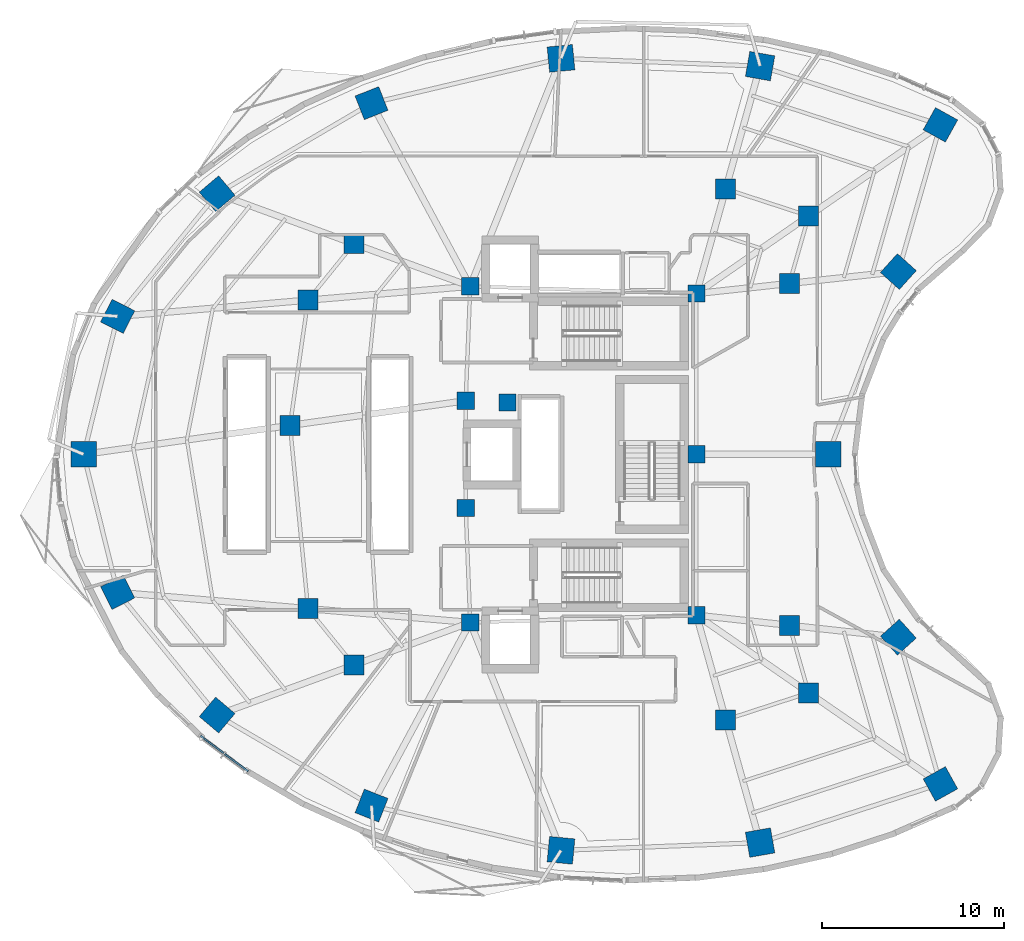
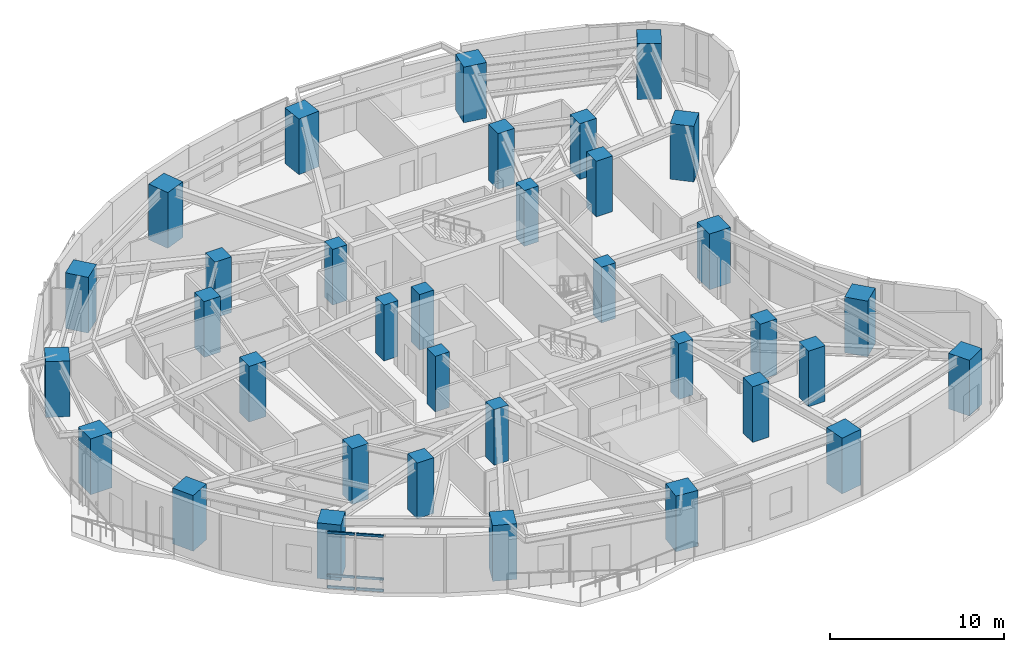
# One storey, part 1 of 15: 35 columns, 6 members, 1 element without a shape of its own.
"""IFC4 building model written with IfcOpenShell, lengths in metres."""

from ifc_helpers import new_model, si_unit, direction, frame, origin, origin_2d, place, context, subcontext, project, spatial, rectangle, extrude, material, layer, layer_set, material_profile, profile_set, type_object, element, aggregate, save


model = new_model("IFC4")

# Units and contexts
model_context = context("Model", 3, precision=1e-05, world=origin(), true_north=direction((0.0, 1.0)))
body_context = subcontext(model_context, "Body", "Model", "MODEL_VIEW")
ifc_project = project(units=[si_unit("LENGTHUNIT", "METRE"), si_unit("AREAUNIT", "SQUARE_METRE"), si_unit("VOLUMEUNIT", "CUBIC_METRE"), si_unit("PLANEANGLEUNIT", "RADIAN"), si_unit("MASSUNIT", "GRAM", prefix="KILO")], contexts=[model_context])

# Site, building, storey
site_placement = place(None, origin())
site = spatial("IfcSite", under=ifc_project, at=site_placement, CompositionType="ELEMENT")
building_placement = place(site_placement, origin())
building = spatial("IfcBuilding", under=site, at=building_placement, Name="Korentha Bioscience Tower", CompositionType="ELEMENT")
storey_placement = place(building_placement, frame((0.0, 0.0, 38.39990234375)))
storey = spatial("IfcBuildingStorey", under=building, at=storey_placement, Name="L08", CompositionType="ELEMENT", Elevation=38.39990234375)

# Columns
ifc_material_1 = material(Name="Concrete C65", Category="concrete")
ifc_material_profile_1 = material_profile(ifc_material_1, rectangle(XDim=0.949951171875, YDim=0.949951171875, at=origin_2d()), Name="Concrete C65")
ifc_profile_set_1 = profile_set([ifc_material_profile_1], Name="Concrete C65 (COL-CP09)")
column_type_1 = type_object("IfcColumnType", Name="Core Pilaster Column RC 950x950", PredefinedType="PILASTER", material=ifc_profile_set_1)
for number, where, z_axis, x_axis, name in (
    (1, (37.550048828125, 35.85009765625, -0.00048828125), (0.0, 0.0, 1.0), (1.0, 0.0, 0.0), "L08 Core Pilaster CP-01"),
    (2, (25.10009765625, 36.25, -0.00048828125), (0.0, 0.0, 1.0), (1.0, 0.0, 0.0), "L08 Core Pilaster CP-02"),
    (3, (24.85009765625, 29.949951171875, -0.00048828125), (0.0, 0.0, 1.0), (1.0, 0.0, 0.0), "L08 Core Pilaster CP-03"),
    (4, (27.14990234375, 29.85009765625, -0.00048828125), (0.0, 0.0, 1.0), (1.0, 0.0, 0.0), "L08 Core Pilaster CP-04"),
    (5, (24.85009765625, 24.050048828125, -0.00048828125), (0.0, 0.0, 1.0), (1.0, 0.0, 0.0), "L08 Core Pilaster CP-05"),
    (6, (25.10009765625, 17.75, -0.00048828125), (0.0, 0.0, 1.0), (1.0, 0.0, 0.0), "L08 Core Pilaster CP-06"),
    (7, (37.550048828125, 18.14990234375, -0.00048828125), (0.0, 0.0, 1.0), (1.0, 0.0, 0.0), "L08 Core Pilaster CP-07"),
    (8, (37.550048828125, 27.0, -0.00048828125), (0.0, 0.0, 1.0), (1.0, 0.0, 0.0), "L08 Core Pilaster CP-08"),
):
    element("IfcColumn", number, at=place(storey_placement, frame(where, z_axis=z_axis, x_axis=x_axis)), inside=storey, type_object=column_type_1, Name=name, PredefinedType="PILASTER", context=body_context, shape_type="SweptSolid", body=[
        extrude(rectangle(XDim=0.949951171875, YDim=0.949951171875, at=origin_2d()), origin(), (0.0, 0.0, 1.0), 3.901123046875),
    ])
ifc_material_2 = material(Name="Concrete C80", Category="concrete")
ifc_material_profile_2 = material_profile(ifc_material_2, rectangle(XDim=1.10009765625, YDim=1.10009765625, at=origin_2d()), Name="Concrete C80")
ifc_profile_set_2 = profile_set([ifc_material_profile_2], Name="Concrete C80 (COL-MR11)")
column_type_2 = type_object("IfcColumnType", Name="Mid-Ring Lab Column RC 1100x1100", PredefinedType="COLUMN", material=ifc_profile_set_2)
for number, where, z_axis, x_axis, name in (
    (9, (43.7265625, 40.121337890625, -0.00048828125), (0.0, 0.0, 1.0), (1.0, 0.0, 0.0), "L08 Mid-Ring Column 01"),
    (10, (39.1611328125, 41.607666015625, -0.00048828125), (0.0, 0.0, 1.0), (1.0, 0.0, 0.0), "L08 Mid-Ring Column 02"),
    (11, (18.692138671875, 38.5947265625, -0.00048828125), (0.0, 0.0, 1.0), (1.0, 0.0, 0.0), "L08 Mid-Ring Column 05"),
    (12, (16.174072265625, 35.489013671875, -0.00048828125), (0.0, 0.0, 1.0), (1.0, 0.0, 0.0), "L08 Mid-Ring Column 06"),
    (13, (15.1787109375, 28.593505859375, -0.00048828125), (0.0, 0.0, 1.0), (1.0, 0.0, 0.0), "L08 Mid-Ring Column 07"),
    (14, (16.174072265625, 18.510986328125, -0.00048828125), (0.0, 0.0, 1.0), (1.0, 0.0, 0.0), "L08 Mid-Ring Column 08"),
    (15, (18.692138671875, 15.4052734375, -0.00048828125), (0.0, 0.0, 1.0), (1.0, 0.0, 0.0), "L08 Mid-Ring Column 09"),
    (16, (39.1611328125, 12.392333984375, -0.00048828125), (0.0, 0.0, 1.0), (1.0, 0.0, 0.0), "L08 Mid-Ring Column 12"),
    (17, (43.7265625, 13.878662109375, -0.00048828125), (0.0, 0.0, 1.0), (1.0, 0.0, 0.0), "L08 Mid-Ring Column 13"),
    (18, (42.66162109375, 17.593017578125, -0.00048828125), (0.0, 0.0, 1.0), (1.0, 0.0, 0.0), "L08 Mid-Ring Column 14"),
    (19, (42.66162109375, 36.406982421875, -0.00048828125), (0.0, 0.0, 1.0), (1.0, 0.0, 0.0), "L08 Mid-Ring Column 16"),
):
    element("IfcColumn", number, at=place(storey_placement, frame(where, z_axis=z_axis, x_axis=x_axis)), inside=storey, type_object=column_type_2, Name=name, PredefinedType="COLUMN", context=body_context, shape_type="SweptSolid", body=[
        extrude(rectangle(XDim=1.10009765625, YDim=1.10009765625, at=origin_2d()), origin(), (0.0, 0.0, 1.0), 3.901123046875),
    ])
ifc_material_profile_3 = material_profile(ifc_material_2, rectangle(XDim=1.39990234375, YDim=1.39990234375, at=origin_2d()), Name="Concrete C80")
ifc_profile_set_3 = profile_set([ifc_material_profile_3], Name="Concrete C80 (COL-P14)")
column_type_3 = type_object("IfcColumnType", Name="Perimeter Column RC 1400x1400", PredefinedType="COLUMN", material=ifc_profile_set_3)
for number, where, z_axis, x_axis, name in (
    (20, (50.977294921875, 45.135498046875, -0.00048828125), (0.0, 0.0, 1.0), (-0.874535078577, 0.484962262797, 0.0), "L08 Perimeter Column 01"),
    (21, (41.052490234375, 48.36669921875, -0.00048828125), (0.0, 0.0, 1.0), (-0.984868307662, 0.173304404339, 0.0), "L08 Perimeter Column 02"),
    (22, (30.09423828125, 48.79248046875, -0.00048828125), (0.0, 0.0, 1.0), (0.995462868748, 0.095150811579, 0.0), "L08 Perimeter Column 03"),
    (23, (19.66650390625, 46.328857421875, -0.00048828125), (0.0, 0.0, 1.0), (0.930225540858, 0.366988341962, 0.0), "L08 Perimeter Column 04"),
    (24, (11.169921875, 41.34716796875, -0.00048828125), (0.0, 0.0, 1.0), (0.764246456939, 0.644924300253, 0.0), "L08 Perimeter Column 05"),
    (25, (5.69580078125, 34.595703125, -0.00048828125), (0.0, 0.0, 1.0), (0.453057191132, 0.891481453292, 0.0), "L08 Perimeter Column 06"),
    (26, (3.825439453125, 27.000732421875, -0.00048828125), (0.0, 0.0, 1.0), (0.0, 1.0, 0.0), "L08 Perimeter Column 07"),
    (27, (5.69580078125, 19.404296875, -0.00048828125), (0.0, 0.0, 1.0), (-0.453057191132, 0.891481453292, 0.0), "L08 Perimeter Column 08"),
    (28, (11.169921875, 12.65283203125, -0.00048828125), (0.0, 0.0, 1.0), (-0.764246456939, 0.644924300253, 0.0), "L08 Perimeter Column 09"),
    (29, (19.66650390625, 7.671142578125, -0.00048828125), (0.0, 0.0, 1.0), (-0.930225540858, 0.366988341962, 0.0), "L08 Perimeter Column 10"),
    (30, (30.09423828125, 5.20751953125, -0.00048828125), (0.0, 0.0, 1.0), (-0.995462868748, 0.095150811579, 0.0), "L08 Perimeter Column 11"),
    (31, (41.052490234375, 5.63330078125, -0.00048828125), (0.0, 0.0, 1.0), (0.984868307662, 0.173304404339, 0.0), "L08 Perimeter Column 12"),
    (32, (50.977294921875, 8.864501953125, -0.00048828125), (0.0, 0.0, 1.0), (0.874535078577, 0.484962262797, 0.0), "L08 Perimeter Column 13"),
    (33, (48.661865234375, 16.939208984375, -0.00048828125), (0.0, 0.0, 1.0), (-0.669130606359, 0.743144825477, 0.0), "L08 Perimeter Column 14"),
    (34, (44.798583984375, 27.0, -0.00048828125), (0.0, 0.0, 1.0), (0.0, 1.0, 0.0), "L08 Perimeter Column 15"),
    (35, (48.661865234375, 37.060791015625, -0.00048828125), (0.0, 0.0, 1.0), (0.669130606359, 0.743144825477, 0.0), "L08 Perimeter Column 16"),
):
    element("IfcColumn", number, at=place(storey_placement, frame(where, z_axis=z_axis, x_axis=x_axis)), inside=storey, type_object=column_type_3, Name=name, PredefinedType="COLUMN", context=body_context, shape_type="SweptSolid", body=[
        extrude(rectangle(XDim=1.39990234375, YDim=1.39990234375, at=origin_2d()), origin(), (0.0, 0.0, 1.0), 3.901123046875),
    ])

# Curtain wall, members
ifc_material_3 = material(Name="Thermally Broken Aluminium Frame", Category="aluminium")
ifc_layer = layer(ifc_material_3, 0.219970703125, Name="Thermally Broken Aluminium Frame")
ifc_layer_set = layer_set([ifc_layer], Name="Thermally Broken Aluminium Frame (CW-T2)")
curtain_wall_type = type_object("IfcCurtainWallType", Name="Solar-Screened Lab Unitised Curtain Wall CW-T2", PredefinedType="USERDEFINED", material=ifc_layer_set)
curtain_wall_placement = place(storey_placement, origin())
curtain_wall = element("IfcCurtainWall", 36, at=curtain_wall_placement, inside=storey, type_object=curtain_wall_type, Name="L08 Curtain Wall 25", ObjectType="UNITISED", PredefinedType="USERDEFINED")
ifc_material_4 = material(Name="Anodised Aluminium 6063-T6", Category="aluminium")
ifc_material_profile_4 = material_profile(ifc_material_4, rectangle(XDim=0.090087890625, YDim=0.159912109375, at=origin_2d()), Name="Anodised Aluminium 6063-T6")
ifc_profile_set_4 = profile_set([ifc_material_profile_4], Name="Anodised Aluminium 6063-T6 (CW-TRN)")
member_type = type_object("IfcMemberType", Name="Transom RECT 90x160", PredefinedType="USERDEFINED", material=ifc_profile_set_4)
member_1_placement = place(storey_placement, frame((10.2578125, 11.51171875, 0.045166015625), z_axis=(0.8008676283, -0.598841416354, 0.0), x_axis=(0.598841416354, 0.8008676283, 0.0)))
member_1 = element("IfcMember", 37, at=member_1_placement, type_object=member_type, Name="CW-L08-25 Bay 1 Transom 1", ObjectType="TRANSOM", PredefinedType="USERDEFINED", context=body_context, shape_type="SweptSolid", body=[
    extrude(rectangle(XDim=0.090087890625, YDim=0.159912109375, at=origin_2d()), origin(), (0.0, 0.0, 1.0), 1.58544921875),
])
member_2_placement = place(storey_placement, frame((10.2578125, 11.51171875, 0.85009765625), z_axis=(0.8008676283, -0.598841416354, 0.0), x_axis=(0.598841416354, 0.8008676283, 0.0)))
member_2 = element("IfcMember", 38, at=member_2_placement, type_object=member_type, Name="CW-L08-25 Bay 1 Transom 2", ObjectType="TRANSOM", PredefinedType="USERDEFINED", context=body_context, shape_type="SweptSolid", body=[
    extrude(rectangle(XDim=0.090087890625, YDim=0.159912109375, at=origin_2d()), origin(), (0.0, 0.0, 1.0), 1.58544921875),
])
member_3_placement = place(storey_placement, frame((10.2578125, 11.51171875, 3.85498046875), z_axis=(0.8008676283, -0.598841416354, 0.0), x_axis=(0.598841416354, 0.8008676283, 0.0)))
member_3 = element("IfcMember", 39, at=member_3_placement, type_object=member_type, Name="CW-L08-25 Bay 1 Transom 3", ObjectType="TRANSOM", PredefinedType="USERDEFINED", context=body_context, shape_type="SweptSolid", body=[
    extrude(rectangle(XDim=0.090087890625, YDim=0.159912109375, at=origin_2d()), origin(), (0.0, 0.0, 1.0), 1.58544921875),
])
member_4_placement = place(storey_placement, frame((11.599609375, 10.50830078125, 0.045166015625), z_axis=(0.800738536228, -0.59901402037, 0.0), x_axis=(0.59901402037, 0.800738536228, 0.0)))
member_4 = element("IfcMember", 40, at=member_4_placement, type_object=member_type, Name="CW-L08-25 Bay 2 Transom 1", ObjectType="TRANSOM", PredefinedType="USERDEFINED", context=body_context, shape_type="SweptSolid", body=[
    extrude(rectangle(XDim=0.090087890625, YDim=0.159912109375, at=origin_2d()), origin(), (0.0, 0.0, 1.0), 1.58544921875),
])
member_5_placement = place(storey_placement, frame((11.599609375, 10.50830078125, 0.85009765625), z_axis=(0.800738536228, -0.59901402037, 0.0), x_axis=(0.59901402037, 0.800738536228, 0.0)))
member_5 = element("IfcMember", 41, at=member_5_placement, type_object=member_type, Name="CW-L08-25 Bay 2 Transom 2", ObjectType="TRANSOM", PredefinedType="USERDEFINED", context=body_context, shape_type="SweptSolid", body=[
    extrude(rectangle(XDim=0.090087890625, YDim=0.159912109375, at=origin_2d()), origin(), (0.0, 0.0, 1.0), 1.58544921875),
])
member_6_placement = place(storey_placement, frame((11.599609375, 10.50830078125, 3.85498046875), z_axis=(0.800738536228, -0.59901402037, 0.0), x_axis=(0.59901402037, 0.800738536228, 0.0)))
member_6 = element("IfcMember", 42, at=member_6_placement, type_object=member_type, Name="CW-L08-25 Bay 2 Transom 3", ObjectType="TRANSOM", PredefinedType="USERDEFINED", context=body_context, shape_type="SweptSolid", body=[
    extrude(rectangle(XDim=0.090087890625, YDim=0.159912109375, at=origin_2d()), origin(), (0.0, 0.0, 1.0), 1.58544921875),
])
aggregate(curtain_wall, [member_1, member_2, member_3, member_4, member_5, member_6])

save(model, "model.ifc")
